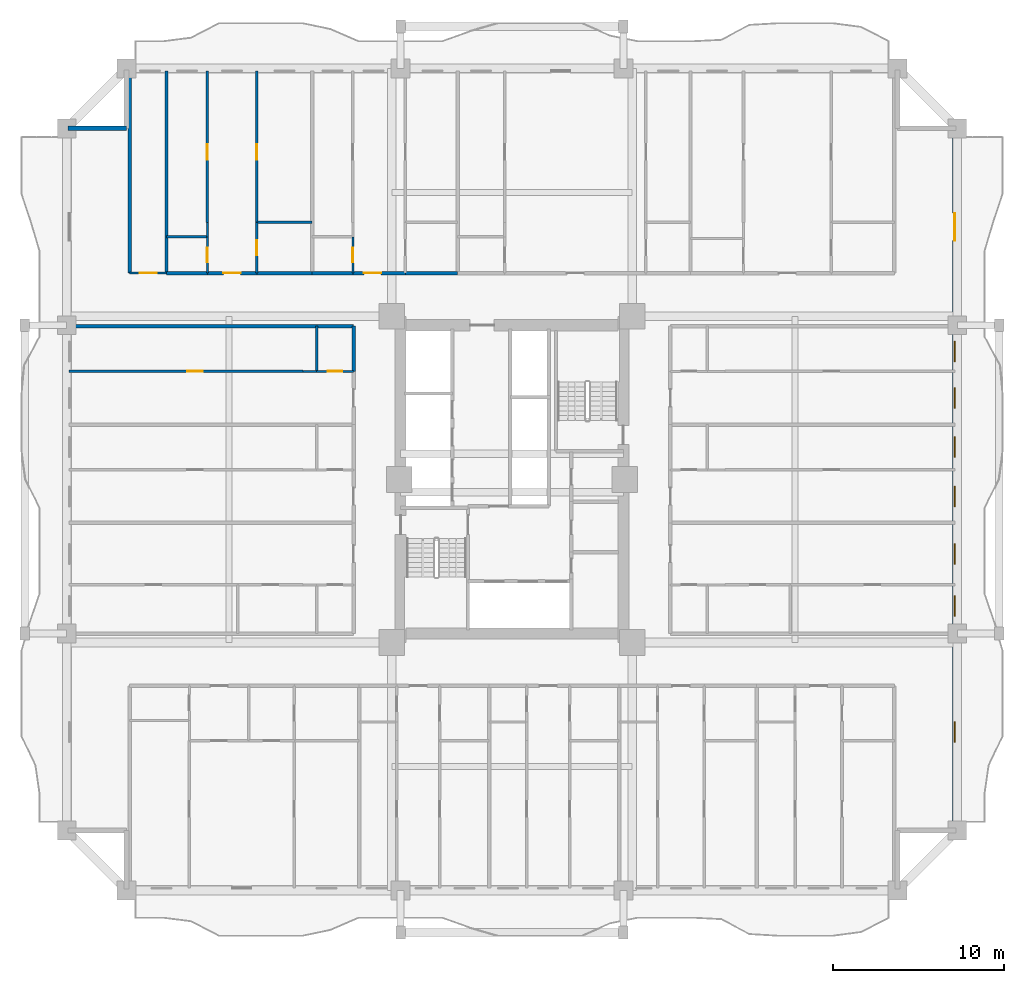
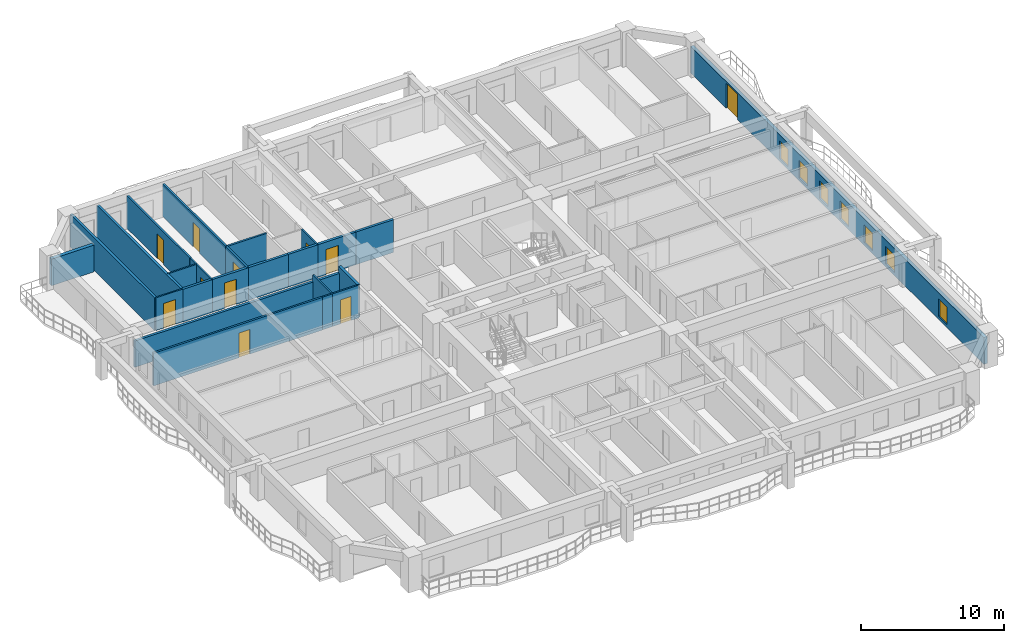
# One storey, part 7 of 16: 25 walls, 11 doors, 7 windows, 18 openings.
"""IFC4 building model written with IfcOpenShell, lengths in metres."""

from ifc_helpers import new_model, si_unit, direction, frame, frame_2d, origin, place, context, subcontext, project, spatial, rectangle, extrude, source, transform, mapped, material, layer, layer_set, type_object, element, fill, save


model = new_model("IFC4")

# Units and contexts
model_context = context("Model", 3, precision=1e-05, world=origin(), true_north=direction((0.0, 1.0)))
body_context = subcontext(model_context, "Body", "Model", "MODEL_VIEW")
ifc_project = project(units=[si_unit("LENGTHUNIT", "METRE"), si_unit("AREAUNIT", "SQUARE_METRE"), si_unit("VOLUMEUNIT", "CUBIC_METRE"), si_unit("PLANEANGLEUNIT", "RADIAN"), si_unit("MASSUNIT", "GRAM", prefix="KILO")], contexts=[model_context])

# Site, building, storey
site_placement = place(None, origin())
site = spatial("IfcSite", under=ifc_project, at=site_placement, CompositionType="ELEMENT")
building_placement = place(site_placement, origin())
building = spatial("IfcBuilding", under=site, at=building_placement, Name="Saelheon Loggia Tower", CompositionType="ELEMENT")
storey_placement = place(building_placement, frame((0.0, 0.0, 58.39990234375)))
storey = spatial("IfcBuildingStorey", under=building, at=storey_placement, Name="L18", CompositionType="ELEMENT", Elevation=58.39990234375)

# Wall, openings, windows, door
ifc_material_1 = material(Name="Architectural Precast Concrete C40/50", Category="concrete")
ifc_layer_1 = layer(ifc_material_1, 0.280029296875)
ifc_layer_set_1 = layer_set([ifc_layer_1], Name="Architectural Precast Concrete C40/50")
wall_type_1 = type_object("IfcWallType", Name="Wall_Ext_Loggia_280", PredefinedType="SOLIDWALL", material=ifc_layer_set_1)
wall_1_placement = place(storey_placement, frame((63.860107421875, 6.5, 0.0), z_axis=(0.0, 0.0, 1.0), x_axis=(0.0, 1.0, 0.0)))
wall_1 = element("IfcWall", 1, at=wall_1_placement, inside=storey, type_object=wall_type_1, Name="L18 East Loggia Inner Wall", PredefinedType="SOLIDWALL", context=body_context, shape_type="SweptSolid", body=[
    extrude(rectangle(XDim=41.0, YDim=0.280029296875, at=frame_2d((20.5, 0.0))), origin(), (0.0, 0.0, 1.0), 2.280029296875),
])
opening_1_placement = place(wall_1_placement, frame((5.14990234375, 0.0, 0.25)))
opening_1 = element("IfcOpeningElement", 2, at=opening_1_placement, cuts=wall_1, Name="Opening WN-03", PredefinedType="OPENING", context=body_context, shape_type="SweptSolid", body=[
    extrude(rectangle(XDim=1.199951171875, YDim=1.5, at=frame_2d((0.60009765625, 0.75))), frame((0.0, 0.152099609375, 0.0), z_axis=(0.0, -1.0, 0.0), x_axis=(1.0, 0.0, 0.0)), (0.0, 0.0, 1.0), 0.303955078125),
])
opening_2_placement = place(wall_1_placement, frame((12.52001953125, 0.0, 0.25)))
opening_2 = element("IfcOpeningElement", 3, at=opening_2_placement, cuts=wall_1, Name="Opening WN-03", PredefinedType="OPENING", context=body_context, shape_type="SweptSolid", body=[
    extrude(rectangle(XDim=1.199951171875, YDim=1.5, at=frame_2d((0.60009765625, 0.75))), frame((0.0, 0.152099609375, 0.0), z_axis=(0.0, -1.0, 0.0), x_axis=(1.0, 0.0, 0.0)), (0.0, 0.0, 1.0), 0.303955078125),
])
opening_3_placement = place(wall_1_placement, frame((15.555908203125, 0.0, 0.25)))
opening_3 = element("IfcOpeningElement", 4, at=opening_3_placement, cuts=wall_1, Name="Opening WN-03", PredefinedType="OPENING", context=body_context, shape_type="SweptSolid", body=[
    extrude(rectangle(XDim=1.199951171875, YDim=1.5, at=frame_2d((0.60009765625, 0.75))), frame((0.0, 0.152099609375, 0.0), z_axis=(0.0, -1.0, 0.0), x_axis=(1.0, 0.0, 0.0)), (0.0, 0.0, 1.0), 0.303955078125),
])
opening_4_placement = place(wall_1_placement, frame((18.912841796875, 0.0, 0.25)))
opening_4 = element("IfcOpeningElement", 5, at=opening_4_placement, cuts=wall_1, Name="Opening WN-03", PredefinedType="OPENING", context=body_context, shape_type="SweptSolid", body=[
    extrude(rectangle(XDim=1.199951171875, YDim=1.5, at=frame_2d((0.60009765625, 0.75))), frame((0.0, 0.152099609375, 0.0), z_axis=(0.0, -1.0, 0.0), x_axis=(1.0, 0.0, 0.0)), (0.0, 0.0, 1.0), 0.303955078125),
])
opening_5_placement = place(wall_1_placement, frame((21.784912109375, 0.0, 0.25)))
opening_5 = element("IfcOpeningElement", 6, at=opening_5_placement, cuts=wall_1, Name="Opening WN-03", PredefinedType="OPENING", context=body_context, shape_type="SweptSolid", body=[
    extrude(rectangle(XDim=1.199951171875, YDim=1.5, at=frame_2d((0.60009765625, 0.75))), frame((0.0, 0.152099609375, 0.0), z_axis=(0.0, -1.0, 0.0), x_axis=(1.0, 0.0, 0.0)), (0.0, 0.0, 1.0), 0.303955078125),
])
opening_6_placement = place(wall_1_placement, frame((24.656982421875, 0.0, 0.25)))
opening_6 = element("IfcOpeningElement", 7, at=opening_6_placement, cuts=wall_1, Name="Opening WN-03", PredefinedType="OPENING", context=body_context, shape_type="SweptSolid", body=[
    extrude(rectangle(XDim=1.199951171875, YDim=1.5, at=frame_2d((0.60009765625, 0.75))), frame((0.0, 0.152099609375, 0.0), z_axis=(0.0, -1.0, 0.0), x_axis=(1.0, 0.0, 0.0)), (0.0, 0.0, 1.0), 0.303955078125),
])
opening_7_placement = place(wall_1_placement, frame((27.35888671875, 0.0, 0.25)))
opening_7 = element("IfcOpeningElement", 8, at=opening_7_placement, cuts=wall_1, Name="Opening WN-03", PredefinedType="OPENING", context=body_context, shape_type="SweptSolid", body=[
    extrude(rectangle(XDim=1.199951171875, YDim=1.5, at=frame_2d((0.60009765625, 0.75))), frame((0.0, 0.152099609375, 0.0), z_axis=(0.0, -1.0, 0.0), x_axis=(1.0, 0.0, 0.0)), (0.0, 0.0, 1.0), 0.303955078125),
])
opening_8_placement = place(wall_1_placement, frame((36.050048828125, 0.0, 0.0), z_axis=(0.0, 0.0, 1.0), x_axis=(-1.0, 0.0, 0.0)))
opening_8 = element("IfcOpeningElement", 9, at=opening_8_placement, cuts=wall_1, Name="Opening DLG-1", PredefinedType="OPENING", context=body_context, shape_type="SweptSolid", body=[
    extrude(rectangle(XDim=1.60009765625, YDim=2.14990234375, at=frame_2d((0.800048828125, 1.074951171875))), frame((0.0, 0.152099609375, 0.0), z_axis=(0.0, -1.0, 0.0), x_axis=(1.0, 0.0, 0.0)), (0.0, 0.0, 1.0), 0.303955078125),
])
ifc_material_2 = material(Name="Thermal-Break Aluminium and Triple Low-E Glass", Category="aluminium")
window_type = type_object("IfcWindowType", Name="Win_Bedroom_1200x1500", PartitioningType="SINGLE_PANEL", PredefinedType="WINDOW", material=ifc_material_2)
shared_shape_1 = source(origin(), body_context, "Body", "SweptSolid", [
    extrude(rectangle(XDim=1.199951171875, YDim=1.5, at=frame_2d((0.60009765625, 0.75))), frame((0.0, 0.030029296875, 0.0), z_axis=(0.0, -1.0, 0.0), x_axis=(1.0, 0.0, 0.0)), (0.0, 0.0, 1.0), 0.06005859375),
])
window_1_placement = place(opening_1_placement, origin())
window_1 = element("IfcWindow", 10, at=window_1_placement, inside=storey, type_object=window_type, Name="L18 E Dwelling Window 1", OverallHeight=1.5, OverallWidth=1.199951171875, PartitioningType="SINGLE_PANEL", PredefinedType="WINDOW", context=body_context, shape_type="MappedRepresentation", body=[
    mapped(shared_shape_1, transform((0.0, 0.0, 0.0), scale=1.0)),
])
fill(opening_1, window_1)
window_2_placement = place(opening_2_placement, origin())
window_2 = element("IfcWindow", 11, at=window_2_placement, inside=storey, type_object=window_type, Name="L18 E Dwelling Window 2", OverallHeight=1.5, OverallWidth=1.199951171875, PartitioningType="SINGLE_PANEL", PredefinedType="WINDOW", context=body_context, shape_type="MappedRepresentation", body=[
    mapped(shared_shape_1, transform((0.0, 0.0, 0.0), scale=1.0)),
])
fill(opening_2, window_2)
window_3_placement = place(opening_3_placement, origin())
window_3 = element("IfcWindow", 12, at=window_3_placement, inside=storey, type_object=window_type, Name="L18 E Dwelling Window 3", OverallHeight=1.5, OverallWidth=1.199951171875, PartitioningType="SINGLE_PANEL", PredefinedType="WINDOW", context=body_context, shape_type="MappedRepresentation", body=[
    mapped(shared_shape_1, transform((0.0, 0.0, 0.0), scale=1.0)),
])
fill(opening_3, window_3)
window_4_placement = place(opening_4_placement, origin())
window_4 = element("IfcWindow", 13, at=window_4_placement, inside=storey, type_object=window_type, Name="L18 E Dwelling Window 4", OverallHeight=1.5, OverallWidth=1.199951171875, PartitioningType="SINGLE_PANEL", PredefinedType="WINDOW", context=body_context, shape_type="MappedRepresentation", body=[
    mapped(shared_shape_1, transform((0.0, 0.0, 0.0), scale=1.0)),
])
fill(opening_4, window_4)
window_5_placement = place(opening_5_placement, origin())
window_5 = element("IfcWindow", 14, at=window_5_placement, inside=storey, type_object=window_type, Name="L18 E Dwelling Window 5", OverallHeight=1.5, OverallWidth=1.199951171875, PartitioningType="SINGLE_PANEL", PredefinedType="WINDOW", context=body_context, shape_type="MappedRepresentation", body=[
    mapped(shared_shape_1, transform((0.0, 0.0, 0.0), scale=1.0)),
])
fill(opening_5, window_5)
window_6_placement = place(opening_6_placement, origin())
window_6 = element("IfcWindow", 15, at=window_6_placement, inside=storey, type_object=window_type, Name="L18 E Dwelling Window 6", OverallHeight=1.5, OverallWidth=1.199951171875, PartitioningType="SINGLE_PANEL", PredefinedType="WINDOW", context=body_context, shape_type="MappedRepresentation", body=[
    mapped(shared_shape_1, transform((0.0, 0.0, 0.0), scale=1.0)),
])
fill(opening_6, window_6)
window_7_placement = place(opening_7_placement, origin())
window_7 = element("IfcWindow", 16, at=window_7_placement, inside=storey, type_object=window_type, Name="L18 E Dwelling Window 7", OverallHeight=1.5, OverallWidth=1.199951171875, PartitioningType="SINGLE_PANEL", PredefinedType="WINDOW", context=body_context, shape_type="MappedRepresentation", body=[
    mapped(shared_shape_1, transform((0.0, 0.0, 0.0), scale=1.0)),
])
fill(opening_7, window_7)
ifc_material_3 = material(Name="Thermal-Break Aluminium Sliding Glazed Door", Category="aluminium")
door_type_1 = type_object("IfcDoorType", Name="Door_LoggiaSlide_1600", OperationType="SLIDING_TO_LEFT", PredefinedType="DOOR", material=ifc_material_3)
shared_shape_2 = source(origin(), body_context, "Body", "SweptSolid", [
    extrude(rectangle(XDim=1.60009765625, YDim=2.14990234375, at=frame_2d((0.800048828125, 1.074951171875))), frame((0.0, 0.02490234375, 0.0), z_axis=(0.0, -1.0, 0.0), x_axis=(1.0, 0.0, 0.0)), (0.0, 0.0, 1.0), 0.050048828125),
])
door_1_placement = place(opening_8_placement, origin())
door_1 = element("IfcDoor", 17, at=door_1_placement, inside=storey, type_object=door_type_1, Name="L18 E Loggia Access Door", OperationType="SLIDING_TO_LEFT", OverallHeight=2.14990234375, OverallWidth=1.60009765625, PredefinedType="DOOR", context=body_context, shape_type="MappedRepresentation", body=[
    mapped(shared_shape_2, transform((0.0, 0.0, 0.0), scale=1.0)),
])
fill(opening_8, door_1)

# Walls
wall_2_placement = place(storey_placement, frame((12.080078125, 47.5, 0.0), z_axis=(0.0, 0.0, 1.0), x_axis=(1.0, 0.0, 0.0)))
element("IfcWall", 18, at=wall_2_placement, inside=storey, type_object=wall_type_1, Name="L18 Corner Notch Precast Wall NW2", PredefinedType="SOLIDWALL", context=body_context, shape_type="SweptSolid", body=[
    extrude(rectangle(XDim=3.419921875, YDim=0.280029296875, at=frame_2d((1.7099609375, 0.0))), origin(), (0.0, 0.0, 1.0), 2.280029296875),
])
ifc_material_4 = material(Name="Lightweight Autoclaved Aerated Concrete Block and Acoustic Gypsum", Category="concrete")
ifc_layer_2 = layer(ifc_material_4, 0.14990234375)
ifc_layer_set_2 = layer_set([ifc_layer_2], Name="Lightweight Autoclaved Aerated Concrete Block and Acoustic Gypsum")
wall_type_2 = type_object("IfcWallType", Name="Wall_Part_150", PredefinedType="PARTITIONING", material=ifc_layer_set_2)
wall_3_placement = place(storey_placement, frame((23.098876953125, 42.010009765625, 0.0), z_axis=(0.0, 0.0, 1.0), x_axis=(1.0, 0.0, 0.0)))
element("IfcWall", 19, at=wall_3_placement, inside=storey, type_object=wall_type_2, Name="L18 N Partition V09", PredefinedType="PARTITIONING", context=body_context, shape_type="SweptSolid", body=[
    extrude(rectangle(XDim=3.22900390625, YDim=0.14990234375, at=frame_2d((1.614501953125, 0.0))), origin(), (0.0, 0.0, 1.0), 2.7900390625),
])

# Wall, opening, door
wall_4_placement = place(storey_placement, frame((20.20947265625, 42.010009765625, 0.0), z_axis=(0.0, 0.0, 1.0), x_axis=(0.0, 1.0, 0.0)))
wall_4 = element("IfcWall", 20, at=wall_4_placement, inside=storey, type_object=wall_type_2, Name="L18 N Partition U12", PredefinedType="PARTITIONING", context=body_context, shape_type="SweptSolid", body=[
    extrude(rectangle(XDim=8.840087890625, YDim=0.14990234375, at=frame_2d((4.419921875, 0.0))), origin(), (0.0, 0.0, 1.0), 2.7900390625),
])
opening_9_placement = place(wall_4_placement, frame((3.6591796875, 0.0, 0.0)))
opening_9 = element("IfcOpeningElement", 21, at=opening_9_placement, cuts=wall_4, Name="Opening D-IN2", PredefinedType="OPENING", context=body_context, shape_type="SweptSolid", body=[
    extrude(rectangle(XDim=0.89990234375, YDim=2.10009765625, at=frame_2d((0.449951171875, 1.050048828125))), frame((0.0, 0.0869140625, 0.0), z_axis=(0.0, -1.0, 0.0), x_axis=(1.0, 0.0, 0.0)), (0.0, 0.0, 1.0), 0.173828125),
])
ifc_material_5 = material(Name="Engineered Oak Flush Door", Category="timber")
door_type_2 = type_object("IfcDoorType", Name="Door_Int_900", OperationType="NOTDEFINED", PredefinedType="DOOR", material=ifc_material_5)
shared_shape_3 = source(origin(), body_context, "Body", "SweptSolid", [
    extrude(rectangle(XDim=0.89990234375, YDim=2.10009765625, at=frame_2d((0.449951171875, 1.050048828125))), frame((0.0, 0.02490234375, 0.0), z_axis=(0.0, -1.0, 0.0), x_axis=(1.0, 0.0, 0.0)), (0.0, 0.0, 1.0), 0.050048828125),
])
door_2_placement = place(opening_9_placement, origin())
door_2 = element("IfcDoor", 22, at=door_2_placement, inside=storey, type_object=door_type_2, Name="Unit U06 Kitchen Door", OperationType="SINGLE_SWING_RIGHT", OverallHeight=2.10009765625, OverallWidth=0.89990234375, PredefinedType="DOOR", context=body_context, shape_type="MappedRepresentation", body=[
    mapped(shared_shape_3, transform((0.0, 0.0, 0.0), scale=1.0)),
])
fill(opening_9, door_2)

wall_5_placement = place(storey_placement, frame((23.098876953125, 39.050048828125, 0.0), z_axis=(0.0, 0.0, 1.0), x_axis=(0.0, 1.0, 0.0)))
wall_5 = element("IfcWall", 23, at=wall_5_placement, inside=storey, type_object=wall_type_2, Name="L18 N Partition U13", PredefinedType="PARTITIONING", context=body_context, shape_type="SweptSolid", body=[
    extrude(rectangle(XDim=2.9599609375, YDim=0.14990234375, at=frame_2d((1.47998046875, 0.0))), origin(), (0.0, 0.0, 1.0), 2.7900390625),
])
opening_10_placement = place(wall_5_placement, frame((1.030029296875, 0.0, 0.0)))
opening_10 = element("IfcOpeningElement", 24, at=opening_10_placement, cuts=wall_5, Name="Opening D-IN2", PredefinedType="OPENING", context=body_context, shape_type="SweptSolid", body=[
    extrude(rectangle(XDim=0.89990234375, YDim=2.10009765625, at=frame_2d((0.449951171875, 1.050048828125))), frame((0.0, 0.0869140625, 0.0), z_axis=(0.0, -1.0, 0.0), x_axis=(1.0, 0.0, 0.0)), (0.0, 0.0, 1.0), 0.173828125),
])
door_3_placement = place(opening_10_placement, origin())
door_3 = element("IfcDoor", 25, at=door_3_placement, inside=storey, type_object=door_type_2, Name="Unit U06 Dressing Closet Door", OperationType="SINGLE_SWING_LEFT", OverallHeight=2.10009765625, OverallWidth=0.89990234375, PredefinedType="DOOR", context=body_context, shape_type="MappedRepresentation", body=[
    mapped(shared_shape_3, transform((0.0, 0.0, 0.0), scale=1.0)),
])
fill(opening_10, door_3)

wall_6_placement = place(storey_placement, frame((23.098876953125, 42.010009765625, 0.0), z_axis=(0.0, 0.0, 1.0), x_axis=(0.0, 1.0, 0.0)))
wall_6 = element("IfcWall", 26, at=wall_6_placement, inside=storey, type_object=wall_type_2, Name="L18 N Partition U14", PredefinedType="PARTITIONING", context=body_context, shape_type="SweptSolid", body=[
    extrude(rectangle(XDim=8.840087890625, YDim=0.14990234375, at=frame_2d((4.419921875, 0.0))), origin(), (0.0, 0.0, 1.0), 2.7900390625),
])
opening_11_placement = place(wall_6_placement, frame((3.6591796875, 0.0, 0.0)))
opening_11 = element("IfcOpeningElement", 27, at=opening_11_placement, cuts=wall_6, Name="Opening D-IN2", PredefinedType="OPENING", context=body_context, shape_type="SweptSolid", body=[
    extrude(rectangle(XDim=0.89990234375, YDim=2.10009765625, at=frame_2d((0.449951171875, 1.050048828125))), frame((0.0, 0.0869140625, 0.0), z_axis=(0.0, -1.0, 0.0), x_axis=(1.0, 0.0, 0.0)), (0.0, 0.0, 1.0), 0.173828125),
])
door_4_placement = place(opening_11_placement, origin())
door_4 = element("IfcDoor", 28, at=door_4_placement, inside=storey, type_object=door_type_2, Name="Unit U06 Bedroom 1 Door", OperationType="SINGLE_SWING_RIGHT", OverallHeight=2.10009765625, OverallWidth=0.89990234375, PredefinedType="DOOR", context=body_context, shape_type="MappedRepresentation", body=[
    mapped(shared_shape_3, transform((0.0, 0.0, 0.0), scale=1.0)),
])
fill(opening_11, door_4)

wall_7_placement = place(storey_placement, frame((25.7900390625, 33.307861328125, 0.0), z_axis=(0.0, 0.0, 1.0), x_axis=(-1.0, 0.0, 0.0)))
wall_7 = element("IfcWall", 29, at=wall_7_placement, inside=storey, type_object=wall_type_2, Name="L18 W Partition U24", PredefinedType="PARTITIONING", context=body_context, shape_type="SweptSolid", body=[
    extrude(rectangle(XDim=13.64013671875, YDim=0.14990234375, at=frame_2d((6.820068359375, 0.0))), origin(), (0.0, 0.0, 1.0), 2.7900390625),
])
opening_12_placement = place(wall_7_placement, frame((5.859130859375, 0.0, 0.0)))
opening_12 = element("IfcOpeningElement", 30, at=opening_12_placement, cuts=wall_7, Name="Opening D-IN2", PredefinedType="OPENING", context=body_context, shape_type="SweptSolid", body=[
    extrude(rectangle(XDim=0.89990234375, YDim=2.10009765625, at=frame_2d((0.449951171875, 1.050048828125))), frame((0.0, 0.0869140625, 0.0), z_axis=(0.0, -1.0, 0.0), x_axis=(1.0, 0.0, 0.0)), (0.0, 0.0, 1.0), 0.173828125),
])
door_5_placement = place(opening_12_placement, origin())
door_5 = element("IfcDoor", 31, at=door_5_placement, inside=storey, type_object=door_type_2, Name="Unit U12 Kitchen Door", OperationType="SINGLE_SWING_LEFT", OverallHeight=2.10009765625, OverallWidth=0.89990234375, PredefinedType="DOOR", context=body_context, shape_type="MappedRepresentation", body=[
    mapped(shared_shape_3, transform((0.0, 0.0, 0.0), scale=1.0)),
])
fill(opening_12, door_5)

# Walls
ifc_material_6 = material(Name="Double Acoustic Stud and Fireboard Partition", Category="gypsum")
ifc_layer_3 = layer(ifc_material_6, 0.199951171875)
ifc_layer_set_3 = layer_set([ifc_layer_3], Name="Double Acoustic Stud and Fireboard Partition")
wall_type_3 = type_object("IfcWallType", Name="Wall_Party_200", PredefinedType="PARTITIONING", material=ifc_layer_set_3)
for number, where, z_axis, x_axis, name in (
    (32, (15.679931640625, 39.050048828125, 0.0), (0.0, 0.0, 1.0), (0.0, 1.0, 0.0), "L18 N Partition U01"),
    (33, (17.830078125, 39.050048828125, 0.0), (0.0, 0.0, 1.0), (0.0, 1.0, 0.0), "L18 N Partition U03"),
):
    element("IfcWall", number, at=place(storey_placement, frame(where, z_axis=z_axis, x_axis=x_axis)), inside=storey, type_object=wall_type_3, Name=name, PredefinedType="PARTITIONING", context=body_context, shape_type="SweptSolid", body=[
        extrude(rectangle(XDim=11.800048828125, YDim=0.199951171875, at=frame_2d((5.89990234375, 0.0))), origin(), (0.0, 0.0, 1.0), 2.7900390625),
    ])
wall_8_placement = place(storey_placement, frame((17.830078125, 39.050048828125, 0.0), z_axis=(0.0, 0.0, 1.0), x_axis=(1.0, 0.0, 0.0)))
element("IfcWall", 34, at=wall_8_placement, inside=storey, type_object=wall_type_3, Name="L18 N Partition V05", PredefinedType="PARTITIONING", context=body_context, shape_type="SweptSolid", body=[
    extrude(rectangle(XDim=2.37939453125, YDim=0.199951171875, at=frame_2d((1.189697265625, 0.0))), origin(), (0.0, 0.0, 1.0), 2.7900390625),
])

# Wall, opening, door
wall_9_placement = place(storey_placement, frame((20.20947265625, 39.050048828125, 0.0), z_axis=(0.0, 0.0, 1.0), x_axis=(1.0, 0.0, 0.0)))
wall_9 = element("IfcWall", 35, at=wall_9_placement, inside=storey, type_object=wall_type_3, Name="L18 N Partition V06", PredefinedType="PARTITIONING", context=body_context, shape_type="SweptSolid", body=[
    extrude(rectangle(XDim=2.889404296875, YDim=0.199951171875, at=frame_2d((1.44482421875, 0.0))), origin(), (0.0, 0.0, 1.0), 2.7900390625),
])
opening_13_placement = place(wall_9_placement, frame((0.944580078125, 0.0, 0.0)))
opening_13 = element("IfcOpeningElement", 36, at=opening_13_placement, cuts=wall_9, Name="Opening D-FD1", PredefinedType="OPENING", context=body_context, shape_type="SweptSolid", body=[
    extrude(rectangle(XDim=1.0, YDim=2.14990234375, at=frame_2d((0.5, 1.074951171875))), frame((0.0, 0.112060546875, 0.0), z_axis=(0.0, -1.0, 0.0), x_axis=(1.0, 0.0, 0.0)), (0.0, 0.0, 1.0), 0.223876953125),
])
ifc_material_7 = material(Name="Fire-Rated Engineered Timber Entrance Door", Category="wood")
door_type_3 = type_object("IfcDoorType", Name="Door_Flat_FD30S", OperationType="NOTDEFINED", PredefinedType="DOOR", material=ifc_material_7)
shared_shape_4 = source(origin(), body_context, "Body", "SweptSolid", [
    extrude(rectangle(XDim=1.0, YDim=2.14990234375, at=frame_2d((0.5, 1.074951171875))), frame((0.0, 0.02490234375, 0.0), z_axis=(0.0, -1.0, 0.0), x_axis=(1.0, 0.0, 0.0)), (0.0, 0.0, 1.0), 0.050048828125),
])
door_6_placement = place(opening_13_placement, origin())
door_6 = element("IfcDoor", 37, at=door_6_placement, inside=storey, type_object=door_type_3, Name="Unit U06 Entrance Door", OperationType="SINGLE_SWING_RIGHT", OverallHeight=2.14990234375, OverallWidth=1.0, PredefinedType="DOOR", context=body_context, shape_type="MappedRepresentation", body=[
    mapped(shared_shape_4, transform((0.0, 0.0, 0.0), scale=1.0)),
])
fill(opening_13, door_6)

# Walls
wall_10_placement = place(storey_placement, frame((23.098876953125, 39.050048828125, 0.0), z_axis=(0.0, 0.0, 1.0), x_axis=(1.0, 0.0, 0.0)))
element("IfcWall", 38, at=wall_10_placement, inside=storey, type_object=wall_type_3, Name="L18 N Partition V07", PredefinedType="PARTITIONING", context=body_context, shape_type="SweptSolid", body=[
    extrude(rectangle(XDim=3.22900390625, YDim=0.199951171875, at=frame_2d((1.614501953125, 0.0))), origin(), (0.0, 0.0, 1.0), 2.7900390625),
])
wall_11_placement = place(storey_placement, frame((26.327880859375, 39.050048828125, 0.0), z_axis=(0.0, 0.0, 1.0), x_axis=(1.0, 0.0, 0.0)))
element("IfcWall", 39, at=wall_11_placement, inside=storey, type_object=wall_type_3, Name="L18 N Partition V16", PredefinedType="PARTITIONING", context=body_context, shape_type="SweptSolid", body=[
    extrude(rectangle(XDim=2.379638671875, YDim=0.199951171875, at=frame_2d((1.18994140625, 0.0))), origin(), (0.0, 0.0, 1.0), 2.7900390625),
])

# Wall, opening, door
wall_12_placement = place(storey_placement, frame((28.70751953125, 39.050048828125, 0.0), z_axis=(0.0, 0.0, 1.0), x_axis=(1.0, 0.0, 0.0)))
wall_12 = element("IfcWall", 40, at=wall_12_placement, inside=storey, type_object=wall_type_3, Name="L18 N Partition V17", PredefinedType="PARTITIONING", context=body_context, shape_type="SweptSolid", body=[
    extrude(rectangle(XDim=3.072509765625, YDim=0.199951171875, at=frame_2d((1.5361328125, 0.0))), origin(), (0.0, 0.0, 1.0), 2.7900390625),
])
opening_14_placement = place(wall_12_placement, frame((0.648193359375, 0.0, 0.0)))
opening_14 = element("IfcOpeningElement", 41, at=opening_14_placement, cuts=wall_12, Name="Opening D-FD1", PredefinedType="OPENING", context=body_context, shape_type="SweptSolid", body=[
    extrude(rectangle(XDim=1.0, YDim=2.14990234375, at=frame_2d((0.5, 1.074951171875))), frame((0.0, 0.112060546875, 0.0), z_axis=(0.0, -1.0, 0.0), x_axis=(1.0, 0.0, 0.0)), (0.0, 0.0, 1.0), 0.223876953125),
])
door_7_placement = place(opening_14_placement, origin())
door_7 = element("IfcDoor", 42, at=door_7_placement, inside=storey, type_object=door_type_3, Name="Unit U07 Entrance Door", OperationType="SINGLE_SWING_LEFT", OverallHeight=2.14990234375, OverallWidth=1.0, PredefinedType="DOOR", context=body_context, shape_type="MappedRepresentation", body=[
    mapped(shared_shape_4, transform((0.0, 0.0, 0.0), scale=1.0)),
])
fill(opening_14, door_7)

# Walls
wall_13_placement = place(storey_placement, frame((31.780029296875, 39.050048828125, 0.0), z_axis=(0.0, 0.0, 1.0), x_axis=(1.0, 0.0, 0.0)))
element("IfcWall", 43, at=wall_13_placement, inside=storey, type_object=wall_type_3, Name="L18 N Partition V18", PredefinedType="PARTITIONING", context=body_context, shape_type="SweptSolid", body=[
    extrude(rectangle(XDim=3.0458984375, YDim=0.199951171875, at=frame_2d((1.52294921875, 0.0))), origin(), (0.0, 0.0, 1.0), 2.7900390625),
])
wall_14_placement = place(storey_placement, frame((28.75, 35.949951171875, 0.0), z_axis=(0.0, 0.0, 1.0), x_axis=(-1.0, 0.0, 0.0)))
element("IfcWall", 44, at=wall_14_placement, inside=storey, type_object=wall_type_3, Name="L18 W Partition U02", PredefinedType="PARTITIONING", context=body_context, shape_type="SweptSolid", body=[
    extrude(rectangle(XDim=16.60009765625, YDim=0.199951171875, at=frame_2d((8.300048828125, 0.0))), origin(), (0.0, 0.0, 1.0), 2.239990234375),
])
wall_15_placement = place(storey_placement, frame((28.75, 33.307861328125, 0.0), z_axis=(0.0, 0.0, 1.0), x_axis=(0.0, 1.0, 0.0)))
element("IfcWall", 45, at=wall_15_placement, inside=storey, type_object=wall_type_3, Name="L18 W Partition V20", PredefinedType="PARTITIONING", context=body_context, shape_type="SweptSolid", body=[
    extrude(rectangle(XDim=2.64208984375, YDim=0.199951171875, at=frame_2d((1.321044921875, 0.0))), origin(), (0.0, 0.0, 1.0), 2.7900390625),
])

# Wall, opening, door
ifc_material_8 = material(Name="Moisture-Resistant Cement Board Partition", Category="gypsum")
ifc_layer_4 = layer(ifc_material_8, 0.1201171875)
ifc_layer_set_4 = layer_set([ifc_layer_4], Name="Moisture-Resistant Cement Board Partition")
wall_type_4 = type_object("IfcWallType", Name="Wall_WetPart_120", PredefinedType="PARTITIONING", material=ifc_layer_set_4)
wall_16_placement = place(storey_placement, frame((15.679931640625, 39.050048828125, 0.0), z_axis=(0.0, 0.0, 1.0), x_axis=(1.0, 0.0, 0.0)))
wall_16 = element("IfcWall", 46, at=wall_16_placement, inside=storey, type_object=wall_type_4, Name="L18 N Partition V04", PredefinedType="PARTITIONING", context=body_context, shape_type="SweptSolid", body=[
    extrude(rectangle(XDim=2.150146484375, YDim=0.1201171875, at=frame_2d((1.0751953125, 0.0))), origin(), (0.0, 0.0, 1.0), 2.7900390625),
])
opening_15_placement = place(wall_16_placement, frame((0.574951171875, 0.0, 0.0)))
opening_15 = element("IfcOpeningElement", 47, at=opening_15_placement, cuts=wall_16, Name="Opening D-AC1", PredefinedType="OPENING", context=body_context, shape_type="SweptSolid", body=[
    extrude(rectangle(XDim=1.0, YDim=2.10009765625, at=frame_2d((0.5, 1.050048828125))), frame((0.0, 0.072021484375, 0.0), z_axis=(0.0, -1.0, 0.0), x_axis=(1.0, 0.0, 0.0)), (0.0, 0.0, 1.0), 0.14404296875),
])
ifc_material_9 = material(Name="Accessible Laminate Flush Door", Category="timber")
door_type_4 = type_object("IfcDoorType", Name="Door_Acc_1000", OperationType="NOTDEFINED", PredefinedType="DOOR", material=ifc_material_9)
shared_shape_5 = source(origin(), body_context, "Body", "SweptSolid", [
    extrude(rectangle(XDim=1.0, YDim=2.10009765625, at=frame_2d((0.5, 1.050048828125))), frame((0.0, 0.02490234375, 0.0), z_axis=(0.0, -1.0, 0.0), x_axis=(1.0, 0.0, 0.0)), (0.0, 0.0, 1.0), 0.050048828125),
])
door_8_placement = place(opening_15_placement, origin())
door_8 = element("IfcDoor", 48, at=door_8_placement, inside=storey, type_object=door_type_4, Name="L18 Floor Accessible WC Door", OperationType="SINGLE_SWING_LEFT", OverallHeight=2.10009765625, OverallWidth=1.0, PredefinedType="DOOR", context=body_context, shape_type="MappedRepresentation", body=[
    mapped(shared_shape_5, transform((0.0, 0.0, 0.0), scale=1.0)),
])
fill(opening_15, door_8)

# Wall
wall_17_placement = place(storey_placement, frame((17.830078125, 41.169921875, 0.0), z_axis=(0.0, 0.0, 1.0), x_axis=(1.0, 0.0, 0.0)))
element("IfcWall", 49, at=wall_17_placement, inside=storey, type_object=wall_type_4, Name="L18 N Partition V08", PredefinedType="PARTITIONING", context=body_context, shape_type="SweptSolid", body=[
    extrude(rectangle(XDim=2.37939453125, YDim=0.1201171875, at=frame_2d((1.189697265625, 0.0))), origin(), (0.0, 0.0, 1.0), 2.7900390625),
])

# Wall, opening, door
wall_18_placement = place(storey_placement, frame((20.20947265625, 39.050048828125, 0.0), z_axis=(0.0, 0.0, 1.0), x_axis=(0.0, 1.0, 0.0)))
wall_18 = element("IfcWall", 50, at=wall_18_placement, inside=storey, type_object=wall_type_4, Name="L18 N Partition U10", PredefinedType="PARTITIONING", context=body_context, shape_type="SweptSolid", body=[
    extrude(rectangle(XDim=2.119873046875, YDim=0.1201171875, at=frame_2d((1.06005859375, 0.0))), origin(), (0.0, 0.0, 1.0), 2.7900390625),
])
opening_16_placement = place(wall_18_placement, frame((0.635009765625, 0.0, 0.0)))
opening_16 = element("IfcOpeningElement", 51, at=opening_16_placement, cuts=wall_18, Name="Opening D-BT1", PredefinedType="OPENING", context=body_context, shape_type="SweptSolid", body=[
    extrude(rectangle(XDim=0.85009765625, YDim=2.050048828125, at=frame_2d((0.425048828125, 1.02490234375))), frame((0.0, 0.072021484375, 0.0), z_axis=(0.0, -1.0, 0.0), x_axis=(1.0, 0.0, 0.0)), (0.0, 0.0, 1.0), 0.14404296875),
])
ifc_material_10 = material(Name="Moisture-Resistant Laminate Timber Door", Category="wood")
door_type_5 = type_object("IfcDoorType", Name="Door_Bath_850", OperationType="NOTDEFINED", PredefinedType="DOOR", material=ifc_material_10)
shared_shape_6 = source(origin(), body_context, "Body", "SweptSolid", [
    extrude(rectangle(XDim=0.85009765625, YDim=2.050048828125, at=frame_2d((0.425048828125, 1.02490234375))), frame((0.0, 0.02490234375, 0.0), z_axis=(0.0, -1.0, 0.0), x_axis=(1.0, 0.0, 0.0)), (0.0, 0.0, 1.0), 0.050048828125),
])
door_9_placement = place(opening_16_placement, origin())
door_9 = element("IfcDoor", 52, at=door_9_placement, inside=storey, type_object=door_type_5, Name="Unit U06 Bathroom Door", OperationType="SINGLE_SWING_LEFT", OverallHeight=2.050048828125, OverallWidth=0.85009765625, PredefinedType="DOOR", context=body_context, shape_type="MappedRepresentation", body=[
    mapped(shared_shape_6, transform((0.0, 0.0, 0.0), scale=1.0)),
])
fill(opening_16, door_9)

# Wall
wall_19_placement = place(storey_placement, frame((20.20947265625, 41.169921875, 0.0), z_axis=(0.0, 0.0, 1.0), x_axis=(0.0, 1.0, 0.0)))
element("IfcWall", 53, at=wall_19_placement, inside=storey, type_object=wall_type_4, Name="L18 N Partition U11", PredefinedType="PARTITIONING", context=body_context, shape_type="SweptSolid", body=[
    extrude(rectangle(XDim=0.840087890625, YDim=0.1201171875, at=frame_2d((0.419921875, 0.0))), origin(), (0.0, 0.0, 1.0), 2.7900390625),
])

# Wall, opening, door
wall_20_placement = place(storey_placement, frame((28.70751953125, 39.050048828125, 0.0), z_axis=(0.0, 0.0, 1.0), x_axis=(0.0, 1.0, 0.0)))
wall_20 = element("IfcWall", 54, at=wall_20_placement, inside=storey, type_object=wall_type_4, Name="L18 N Partition U21", PredefinedType="PARTITIONING", context=body_context, shape_type="SweptSolid", body=[
    extrude(rectangle(XDim=2.119873046875, YDim=0.1201171875, at=frame_2d((1.06005859375, 0.0))), origin(), (0.0, 0.0, 1.0), 2.7900390625),
])
opening_17_placement = place(wall_20_placement, frame((0.635009765625, 0.0, 0.0)))
opening_17 = element("IfcOpeningElement", 55, at=opening_17_placement, cuts=wall_20, Name="Opening D-BT1", PredefinedType="OPENING", context=body_context, shape_type="SweptSolid", body=[
    extrude(rectangle(XDim=0.85009765625, YDim=2.050048828125, at=frame_2d((0.425048828125, 1.02490234375))), frame((0.0, 0.072021484375, 0.0), z_axis=(0.0, -1.0, 0.0), x_axis=(1.0, 0.0, 0.0)), (0.0, 0.0, 1.0), 0.14404296875),
])
door_10_placement = place(opening_17_placement, origin())
door_10 = element("IfcDoor", 56, at=door_10_placement, inside=storey, type_object=door_type_5, Name="Unit U07 Bathroom Door", OperationType="SINGLE_SWING_RIGHT", OverallHeight=2.050048828125, OverallWidth=0.85009765625, PredefinedType="DOOR", context=body_context, shape_type="MappedRepresentation", body=[
    mapped(shared_shape_6, transform((0.0, 0.0, 0.0), scale=1.0)),
])
fill(opening_17, door_10)

wall_21_placement = place(storey_placement, frame((28.75, 33.307861328125, 0.0), z_axis=(0.0, 0.0, 1.0), x_axis=(-1.0, 0.0, 0.0)))
wall_21 = element("IfcWall", 57, at=wall_21_placement, inside=storey, type_object=wall_type_4, Name="L18 W Partition U21", PredefinedType="PARTITIONING", context=body_context, shape_type="SweptSolid", body=[
    extrude(rectangle(XDim=2.14990234375, YDim=0.1201171875, at=frame_2d((1.074951171875, 0.0))), origin(), (0.0, 0.0, 1.0), 2.7900390625),
])
opening_18_placement = place(wall_21_placement, frame((0.64990234375, 0.0, 0.0)))
opening_18 = element("IfcOpeningElement", 58, at=opening_18_placement, cuts=wall_21, Name="Opening D-BT1", PredefinedType="OPENING", context=body_context, shape_type="SweptSolid", body=[
    extrude(rectangle(XDim=0.85009765625, YDim=2.050048828125, at=frame_2d((0.425048828125, 1.02490234375))), frame((0.0, 0.072021484375, 0.0), z_axis=(0.0, -1.0, 0.0), x_axis=(1.0, 0.0, 0.0)), (0.0, 0.0, 1.0), 0.14404296875),
])
door_11_placement = place(opening_18_placement, origin())
door_11 = element("IfcDoor", 59, at=door_11_placement, inside=storey, type_object=door_type_5, Name="Unit U12 Bathroom Door", OperationType="SINGLE_SWING_RIGHT", OverallHeight=2.050048828125, OverallWidth=0.85009765625, PredefinedType="DOOR", context=body_context, shape_type="MappedRepresentation", body=[
    mapped(shared_shape_6, transform((0.0, 0.0, 0.0), scale=1.0)),
])
fill(opening_18, door_11)

# Walls
wall_22_placement = place(storey_placement, frame((26.60009765625, 33.307861328125, 0.0), z_axis=(0.0, 0.0, 1.0), x_axis=(-1.0, 0.0, 0.0)))
element("IfcWall", 60, at=wall_22_placement, inside=storey, type_object=wall_type_4, Name="L18 W Partition U22", PredefinedType="PARTITIONING", context=body_context, shape_type="SweptSolid", body=[
    extrude(rectangle(XDim=0.81005859375, YDim=0.1201171875, at=frame_2d((0.405029296875, 0.0))), origin(), (0.0, 0.0, 1.0), 2.7900390625),
])
wall_23_placement = place(storey_placement, frame((26.60009765625, 33.307861328125, 0.0), z_axis=(0.0, 0.0, 1.0), x_axis=(0.0, 1.0, 0.0)))
element("IfcWall", 61, at=wall_23_placement, inside=storey, type_object=wall_type_4, Name="L18 W Partition V23", PredefinedType="PARTITIONING", context=body_context, shape_type="SweptSolid", body=[
    extrude(rectangle(XDim=2.64208984375, YDim=0.1201171875, at=frame_2d((1.321044921875, 0.0))), origin(), (0.0, 0.0, 1.0), 2.7900390625),
])

save(model, "model.ifc")
